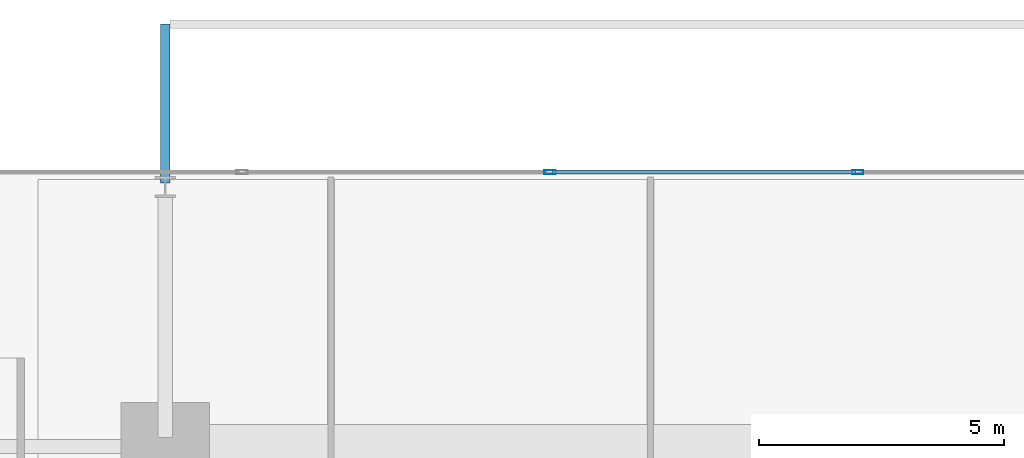
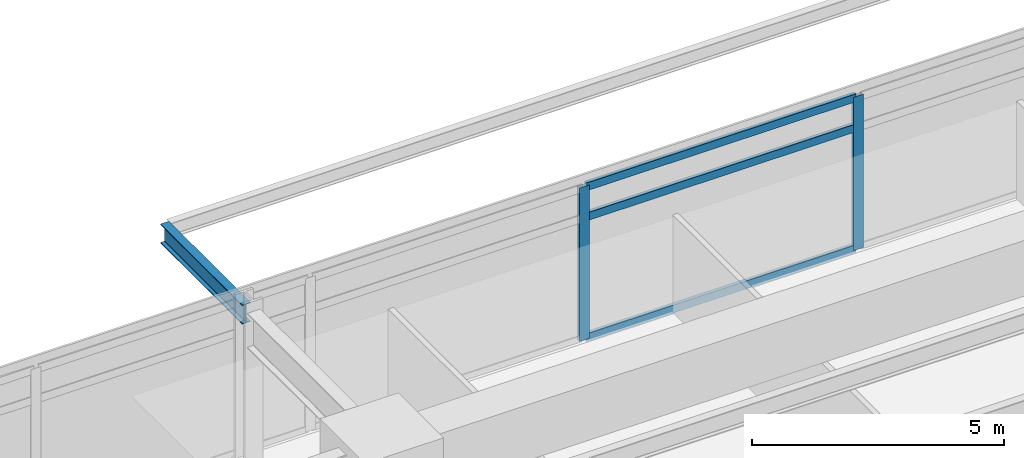
# One storey, part 9 of 22: 5 members, 1 beam, 1 element without a shape of its own.
"""IFC4 building model written with IfcOpenShell, lengths in metres."""

from ifc_helpers import new_model, si_unit, direction, frame, origin, origin_2d, place, context, subcontext, project, spatial, hollow_rectangle, i_section, extrude, material, material_profile, profile_set, type_object, element, aggregate, save


model = new_model("IFC4")

# Units and contexts
model_context = context("Model", 3, precision=1e-05, world=origin(), true_north=direction((0.0, 1.0)))
body_context = subcontext(model_context, "Body", "Model", "MODEL_VIEW")
ifc_project = project(units=[si_unit("LENGTHUNIT", "METRE"), si_unit("AREAUNIT", "SQUARE_METRE"), si_unit("VOLUMEUNIT", "CUBIC_METRE"), si_unit("PLANEANGLEUNIT", "RADIAN"), si_unit("MASSUNIT", "GRAM", prefix="KILO")], contexts=[model_context])

# Site, building, storey
site_placement = place(None, origin())
site = spatial("IfcSite", under=ifc_project, at=site_placement, CompositionType="ELEMENT")
building_placement = place(site_placement, origin())
building = spatial("IfcBuilding", under=site, at=building_placement, Name="Kovane Verandah Tower", CompositionType="ELEMENT")
storey_placement = place(building_placement, frame((0.0, 0.0, 59.60009765625)))
storey = spatial("IfcBuildingStorey", under=building, at=storey_placement, Name="L13", CompositionType="ELEMENT", Elevation=59.60009765625)

# Curtain wall, members
ifc_material_1 = material(Name="Champagne Anodised Aluminium Frame with Low-E Clear Laminated Glass", Category="aluminium")
curtain_wall_type = type_object("IfcCurtainWallType", Name="CW-SYS-02-LOW", PredefinedType="NOTDEFINED", material=ifc_material_1)
curtain_wall_placement = place(storey_placement, origin())
curtain_wall = element("IfcCurtainWall", 1, at=curtain_wall_placement, inside=storey, type_object=curtain_wall_type, Name="L13 N Unitised Curtain Wall", PredefinedType="NOTDEFINED")
ifc_material_2 = material(Name="Champagne Anodised Aluminium 6063-T6", Category="aluminium")
ifc_material_profile_1 = material_profile(ifc_material_2, hollow_rectangle(XDim=0.0849609375, YDim=0.22998046875, WallThickness=0.00390625, at=origin_2d()), Name="AL85x230x4")
ifc_profile_set_1 = profile_set([ifc_material_profile_1], Name="Champagne Anodised Aluminium 6063-T6")
member_type_1 = type_object("IfcMemberType", Name="CW-MUL-85x230", PredefinedType="MULLION", material=ifc_profile_set_1)
member_1_placement = place(storey_placement, frame((43.1435546875, 49.8037109375, 0.02001953125), z_axis=(0.0, 0.0, 1.0), x_axis=(0.0, 1.0, 0.0)))
member_1 = element("IfcMember", 2, at=member_1_placement, type_object=member_type_1, Name="L13 N Unitised Curtain Wall Mullion 4", PredefinedType="MULLION", context=body_context, shape_type="SweptSolid", body=[
    extrude(hollow_rectangle(XDim=0.0849609375, YDim=0.22998046875, WallThickness=0.00390625, at=origin_2d()), origin(), (0.0, 0.0, 1.0), 3.719970703125),
])
member_2_placement = place(storey_placement, frame((36.8564453125, 49.8037109375, 0.02001953125), z_axis=(0.0, 0.0, 1.0), x_axis=(0.0, 1.0, 0.0)))
member_2 = element("IfcMember", 3, at=member_2_placement, type_object=member_type_1, Name="L13 N Unitised Curtain Wall Mullion 5", PredefinedType="MULLION", context=body_context, shape_type="SweptSolid", body=[
    extrude(hollow_rectangle(XDim=0.0849609375, YDim=0.22998046875, WallThickness=0.00390625, at=origin_2d()), origin(), (0.0, 0.0, 1.0), 3.719970703125),
])
ifc_material_profile_2 = material_profile(ifc_material_2, hollow_rectangle(XDim=0.0849609375, YDim=0.18994140625, WallThickness=0.00390625, at=origin_2d()), Name="AL85x190x4")
ifc_profile_set_2 = profile_set([ifc_material_profile_2], Name="Champagne Anodised Aluminium 6063-T6")
member_type_2 = type_object("IfcMemberType", Name="CW-TRN-85x190", PredefinedType="USERDEFINED", material=ifc_profile_set_2)
member_3_placement = place(storey_placement, frame((43.093505859375, 49.8037109375, 0.0498046875), z_axis=(-1.0, 0.0, 0.0), x_axis=(0.0, -1.0, 0.0)))
member_3 = element("IfcMember", 4, at=member_3_placement, type_object=member_type_2, Name="L13 N Unitised Curtain Wall Transom TB Bay 4", ObjectType="TRANSOM", PredefinedType="USERDEFINED", context=body_context, shape_type="SweptSolid", body=[
    extrude(hollow_rectangle(XDim=0.0849609375, YDim=0.18994140625, WallThickness=0.00390625, at=origin_2d()), origin(), (0.0, 0.0, 1.0), 6.18701171875),
])
member_4_placement = place(storey_placement, frame((43.093505859375, 49.8037109375, 2.97998046875), z_axis=(-1.0, 0.0, 0.0), x_axis=(0.0, -1.0, 0.0)))
member_4 = element("IfcMember", 5, at=member_4_placement, type_object=member_type_2, Name="L13 N Unitised Curtain Wall Transom TM Bay 4", ObjectType="TRANSOM", PredefinedType="USERDEFINED", context=body_context, shape_type="SweptSolid", body=[
    extrude(hollow_rectangle(XDim=0.0849609375, YDim=0.18994140625, WallThickness=0.00390625, at=origin_2d()), origin(), (0.0, 0.0, 1.0), 6.18701171875),
])
member_5_placement = place(storey_placement, frame((43.093505859375, 49.8037109375, 3.7099609375), z_axis=(-1.0, 0.0, 0.0), x_axis=(0.0, -1.0, 0.0)))
member_5 = element("IfcMember", 6, at=member_5_placement, type_object=member_type_2, Name="L13 N Unitised Curtain Wall Transom TT Bay 4", ObjectType="TRANSOM", PredefinedType="USERDEFINED", context=body_context, shape_type="SweptSolid", body=[
    extrude(hollow_rectangle(XDim=0.0849609375, YDim=0.18994140625, WallThickness=0.00390625, at=origin_2d()), origin(), (0.0, 0.0, 1.0), 6.18701171875),
])
aggregate(curtain_wall, [member_1, member_2, member_3, member_4, member_5])

# Beam
ifc_material_3 = material(Name="Steel S355", Category="steel")
ifc_material_profile_3 = material_profile(ifc_material_3, i_section(OverallWidth=0.19287109375, OverallDepth=0.46728515625, WebThickness=0.011474609375, FlangeThickness=0.01953125, FilletRadius=0.01025390625, at=origin_2d()), Name="UB457x191x98")
ifc_profile_set_3 = profile_set([ifc_material_profile_3], Name="Steel S355")
beam_type = type_object("IfcBeamType", Name="JST-UB457x98", PredefinedType="JOIST", material=ifc_profile_set_3)
beam_placement = place(storey_placement, frame((29.0, 49.580078125, 3.5263671875), z_axis=(0.0, 1.0, 0.0), x_axis=(-1.0, 0.0, 0.0)))
element("IfcBeam", 7, at=beam_placement, inside=storey, type_object=beam_type, Name="L13 North Planter Girder 1", PredefinedType="JOIST", context=body_context, shape_type="SweptSolid", body=[
    extrude(i_section(OverallWidth=0.19287109375, OverallDepth=0.46728515625, WebThickness=0.011474609375, FlangeThickness=0.01953125, FilletRadius=0.01025390625, at=origin_2d()), origin(), (0.0, 0.0, 1.0), 3.244873046875),
])

save(model, "model.ifc")
